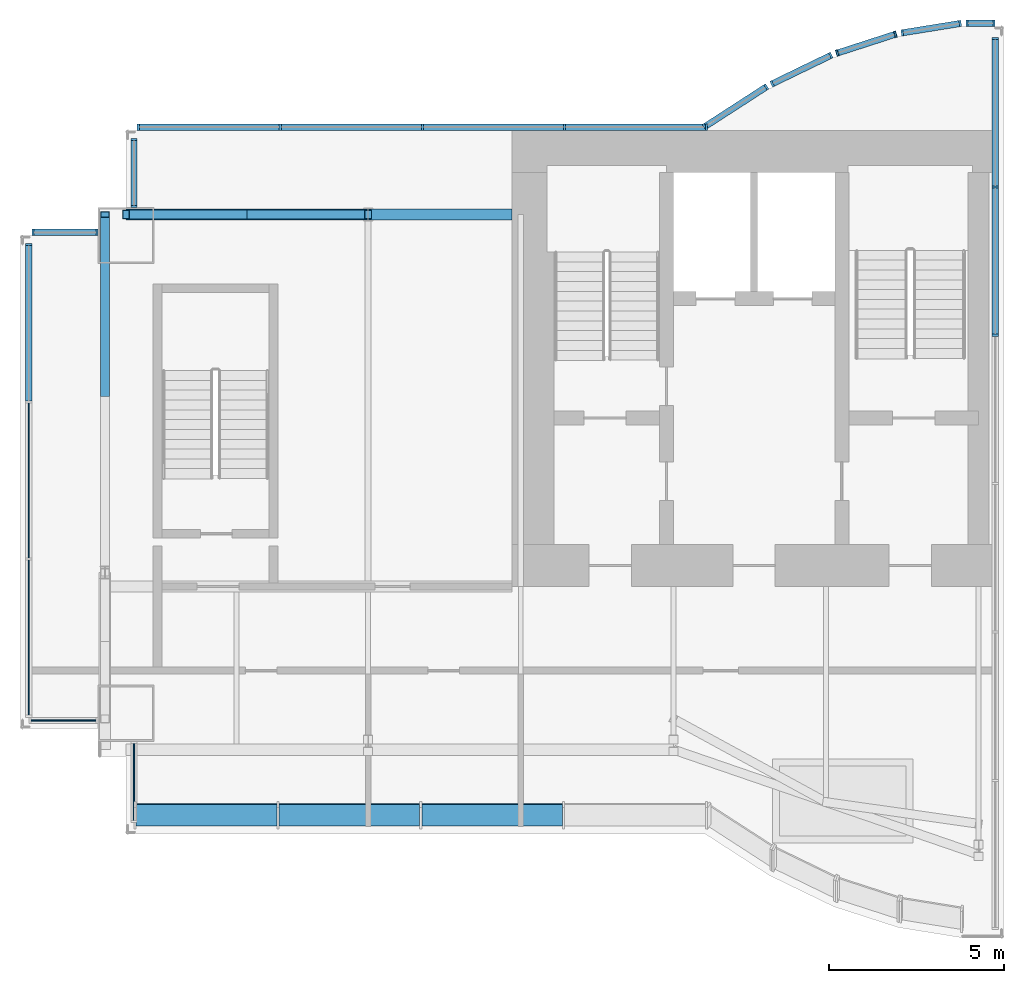
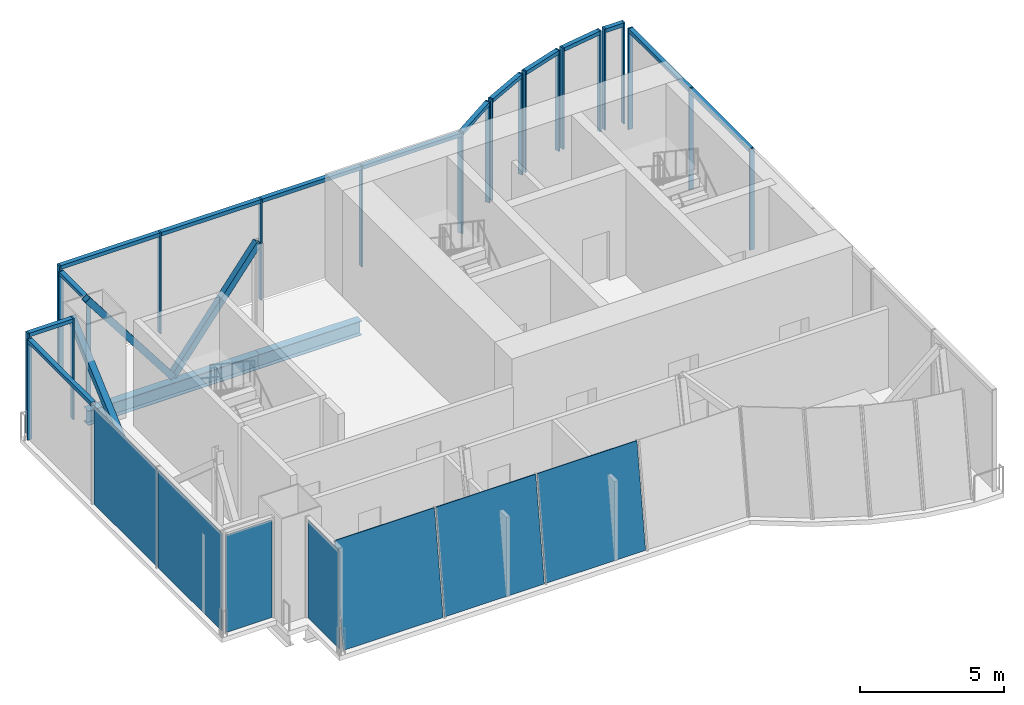
# One storey, part 2 of 6: 40 members, 7 plates, 2 beams, 13 elements without a shape of their own.
"""IFC4 building model written with IfcOpenShell, lengths in metres."""

from ifc_helpers import new_model, si_unit, direction, frame, origin, origin_2d, place, context, subcontext, project, spatial, polyline, rectangle, hollow_rectangle, i_section, outline, extrude, material, layer, layer_set, material_profile, profile_set, type_object, element, aggregate, save


model = new_model("IFC4")

# Units and contexts
model_context = context("Model", 3, precision=1e-05, world=origin(), true_north=direction((0.0, 1.0)))
body_context = subcontext(model_context, "Body", "Model", "MODEL_VIEW")
ifc_project = project(units=[si_unit("LENGTHUNIT", "METRE"), si_unit("AREAUNIT", "SQUARE_METRE"), si_unit("VOLUMEUNIT", "CUBIC_METRE"), si_unit("PLANEANGLEUNIT", "RADIAN"), si_unit("MASSUNIT", "GRAM", prefix="KILO")], contexts=[model_context])

# Site, building, storey
site_placement = place(None, origin())
site = spatial("IfcSite", under=ifc_project, at=site_placement, CompositionType="ELEMENT")
building_placement = place(site_placement, origin())
building = spatial("IfcBuilding", under=site, at=building_placement, Name="Bicima Exchange Tower", CompositionType="ELEMENT")
storey_placement = place(building_placement, frame((0.0, 0.0, 370.39990234375)))
storey = spatial("IfcBuildingStorey", under=building, at=storey_placement, Name="L83", CompositionType="ELEMENT", Elevation=370.39990234375)

# Curtain wall, members
ifc_material_1 = material(Name="Anodised bronze aluminium", Category="aluminium")
curtain_wall_type = type_object("IfcCurtainWallType", Name="Crown glass wall", PredefinedType="NOTDEFINED", material=ifc_material_1)
curtain_wall_1_placement = place(storey_placement, origin())
curtain_wall_1 = element("IfcCurtainWall", 1, at=curtain_wall_1_placement, inside=storey, type_object=curtain_wall_type, Name="Crown glass wall L83 run 2", PredefinedType="NOTDEFINED")
ifc_material_profile_1 = material_profile(ifc_material_1, rectangle(XDim=0.179931640625, YDim=0.06005859375, at=origin_2d()))
ifc_profile_set_1 = profile_set([ifc_material_profile_1], Name="Anodised bronze aluminium")
member_type_1 = type_object("IfcMemberType", Name="Crown glass wall mullion 60 x 180", PredefinedType="MULLION", material=ifc_profile_set_1)
member_1_placement = place(storey_placement, frame((-8.22998046875, -5.84228515625, 0.0), z_axis=(0.0, 0.0, 1.0), x_axis=(-1.0, 0.0, 0.0)))
member_1 = element("IfcMember", 2, at=member_1_placement, type_object=member_type_1, Name="Crown glass wall mullion 5", PredefinedType="MULLION", context=body_context, shape_type="SweptSolid", body=[
    extrude(rectangle(XDim=0.179931640625, YDim=0.06005859375, at=origin_2d()), origin(), (0.0, 0.0, 1.0), 4.300048828125),
])
member_2_placement = place(storey_placement, frame((-8.22998046875, -1.614501953125, 0.0), z_axis=(0.0, 0.0, 1.0), x_axis=(-1.0, 0.0, 0.0)))
member_2 = element("IfcMember", 3, at=member_2_placement, type_object=member_type_1, Name="Crown glass wall mullion 6", PredefinedType="MULLION", context=body_context, shape_type="SweptSolid", body=[
    extrude(rectangle(XDim=0.179931640625, YDim=0.06005859375, at=origin_2d()), origin(), (0.0, 0.0, 1.0), 4.300048828125),
])
member_3_placement = place(storey_placement, frame((-8.22998046875, 2.613037109375, 0.0), z_axis=(0.0, 0.0, 1.0), x_axis=(-1.0, 0.0, 0.0)))
member_3 = element("IfcMember", 4, at=member_3_placement, type_object=member_type_1, Name="Crown glass wall mullion 7", PredefinedType="MULLION", context=body_context, shape_type="SweptSolid", body=[
    extrude(rectangle(XDim=0.179931640625, YDim=0.06005859375, at=origin_2d()), origin(), (0.0, 0.0, 1.0), 4.300048828125),
])

curtain_wall_2_placement = place(storey_placement, origin())
curtain_wall_2 = element("IfcCurtainWall", 5, at=curtain_wall_2_placement, inside=storey, type_object=curtain_wall_type, Name="Crown glass wall L83 run 3", PredefinedType="NOTDEFINED")
member_4_placement = place(storey_placement, frame((-8.260009765625, 3.052978515625, 0.0), z_axis=(0.0, 0.0, 1.0), x_axis=(0.0, -1.0, 0.0)))
member_4 = element("IfcMember", 6, at=member_4_placement, type_object=member_type_1, Name="Crown glass wall mullion 1", PredefinedType="MULLION", context=body_context, shape_type="SweptSolid", body=[
    extrude(rectangle(XDim=0.179931640625, YDim=0.06005859375, at=origin_2d()), origin(), (0.0, 0.0, 1.0), 4.300048828125),
])
member_5_placement = place(storey_placement, frame((-9.0283203125, 3.052978515625, 0.0), z_axis=(0.0, 0.0, 1.0), x_axis=(0.0, -1.0, 0.0)))
member_5 = element("IfcMember", 7, at=member_5_placement, type_object=member_type_1, Name="Crown glass wall mullion 2", PredefinedType="MULLION", context=body_context, shape_type="SweptSolid", body=[
    extrude(rectangle(XDim=0.179931640625, YDim=0.06005859375, at=origin_2d()), origin(), (0.0, 0.0, 1.0), 4.300048828125),
])

curtain_wall_3_placement = place(storey_placement, origin())
curtain_wall_3 = element("IfcCurtainWall", 8, at=curtain_wall_3_placement, inside=storey, type_object=curtain_wall_type, Name="Crown glass wall L83 run 4", PredefinedType="NOTDEFINED")
member_6_placement = place(storey_placement, frame((-9.22900390625, 3.044189453125, 0.0), z_axis=(0.0, 0.0, 1.0), x_axis=(0.159550386184, -0.987189786347, 0.0)))
member_6 = element("IfcMember", 9, at=member_6_placement, type_object=member_type_1, Name="Crown glass wall mullion 1", PredefinedType="MULLION", context=body_context, shape_type="SweptSolid", body=[
    extrude(rectangle(XDim=0.179931640625, YDim=0.06005859375, at=origin_2d()), origin(), (0.0, 0.0, 1.0), 4.300048828125),
])
member_7_placement = place(storey_placement, frame((-10.878662109375, 2.777587890625, 0.0), z_axis=(0.0, 0.0, 1.0), x_axis=(0.159550386184, -0.987189786347, 0.0)))
member_7 = element("IfcMember", 10, at=member_7_placement, type_object=member_type_1, Name="Crown glass wall mullion 2", PredefinedType="MULLION", context=body_context, shape_type="SweptSolid", body=[
    extrude(rectangle(XDim=0.179931640625, YDim=0.06005859375, at=origin_2d()), origin(), (0.0, 0.0, 1.0), 4.300048828125),
])

curtain_wall_4_placement = place(storey_placement, origin())
curtain_wall_4 = element("IfcCurtainWall", 11, at=curtain_wall_4_placement, inside=storey, type_object=curtain_wall_type, Name="Crown glass wall L83 run 5", PredefinedType="NOTDEFINED")
member_8_placement = place(storey_placement, frame((-11.072998046875, 2.73779296875, 0.0), z_axis=(0.0, 0.0, 1.0), x_axis=(0.307572519808, -0.951524642381, 0.0)))
member_8 = element("IfcMember", 12, at=member_8_placement, type_object=member_type_1, Name="Crown glass wall mullion 1", PredefinedType="MULLION", context=body_context, shape_type="SweptSolid", body=[
    extrude(rectangle(XDim=0.179931640625, YDim=0.06005859375, at=origin_2d()), origin(), (0.0, 0.0, 1.0), 4.300048828125),
])
member_9_placement = place(storey_placement, frame((-12.731689453125, 2.20166015625, 0.0), z_axis=(0.0, 0.0, 1.0), x_axis=(0.307572519808, -0.951524642381, 0.0)))
member_9 = element("IfcMember", 13, at=member_9_placement, type_object=member_type_1, Name="Crown glass wall mullion 2", PredefinedType="MULLION", context=body_context, shape_type="SweptSolid", body=[
    extrude(rectangle(XDim=0.179931640625, YDim=0.06005859375, at=origin_2d()), origin(), (0.0, 0.0, 1.0), 4.300048828125),
])

curtain_wall_5_placement = place(storey_placement, origin())
curtain_wall_5 = element("IfcCurtainWall", 14, at=curtain_wall_5_placement, inside=storey, type_object=curtain_wall_type, Name="Crown glass wall L83 run 6", PredefinedType="NOTDEFINED")
member_10_placement = place(storey_placement, frame((-12.913818359375, 2.135009765625, 0.0), z_axis=(0.0, 0.0, 1.0), x_axis=(0.436264762204, -0.899818346812, 0.0)))
member_10 = element("IfcMember", 15, at=member_10_placement, type_object=member_type_1, Name="Crown glass wall mullion 1", PredefinedType="MULLION", context=body_context, shape_type="SweptSolid", body=[
    extrude(rectangle(XDim=0.179931640625, YDim=0.06005859375, at=origin_2d()), origin(), (0.0, 0.0, 1.0), 4.300048828125),
])
member_11_placement = place(storey_placement, frame((-14.585205078125, 1.32470703125, 0.0), z_axis=(0.0, 0.0, 1.0), x_axis=(0.436264762204, -0.899818346812, 0.0)))
member_11 = element("IfcMember", 16, at=member_11_placement, type_object=member_type_1, Name="Crown glass wall mullion 2", PredefinedType="MULLION", context=body_context, shape_type="SweptSolid", body=[
    extrude(rectangle(XDim=0.179931640625, YDim=0.06005859375, at=origin_2d()), origin(), (0.0, 0.0, 1.0), 4.300048828125),
])

curtain_wall_6_placement = place(storey_placement, origin())
curtain_wall_6 = element("IfcCurtainWall", 17, at=curtain_wall_6_placement, inside=storey, type_object=curtain_wall_type, Name="Crown glass wall L83 run 7", PredefinedType="NOTDEFINED")
member_12_placement = place(storey_placement, frame((-14.752685546875, 1.23681640625, 0.0), z_axis=(0.0, 0.0, 1.0), x_axis=(0.542910648791, -0.839790466384, 0.0)))
member_12 = element("IfcMember", 18, at=member_12_placement, type_object=member_type_1, Name="Crown glass wall mullion 1", PredefinedType="MULLION", context=body_context, shape_type="SweptSolid", body=[
    extrude(rectangle(XDim=0.179931640625, YDim=0.06005859375, at=origin_2d()), origin(), (0.0, 0.0, 1.0), 4.300048828125),
])
member_13_placement = place(storey_placement, frame((-16.505126953125, 0.10400390625, 0.0), z_axis=(0.0, 0.0, 1.0), x_axis=(0.542910648791, -0.839790466384, 0.0)))
member_13 = element("IfcMember", 19, at=member_13_placement, type_object=member_type_1, Name="Crown glass wall mullion 2", PredefinedType="MULLION", context=body_context, shape_type="SweptSolid", body=[
    extrude(rectangle(XDim=0.179931640625, YDim=0.06005859375, at=origin_2d()), origin(), (0.0, 0.0, 1.0), 4.300048828125),
])

curtain_wall_7_placement = place(storey_placement, origin())
curtain_wall_7 = element("IfcCurtainWall", 20, at=curtain_wall_7_placement, inside=storey, type_object=curtain_wall_type, Name="Crown glass wall L83 run 8", PredefinedType="NOTDEFINED")
member_14_placement = place(storey_placement, frame((-16.462158203125, 0.090087890625, 0.0), z_axis=(0.0, 0.0, 1.0), x_axis=(0.0, -1.0, 0.0)))
member_14 = element("IfcMember", 21, at=member_14_placement, type_object=member_type_1, Name="Crown glass wall mullion 1", PredefinedType="MULLION", context=body_context, shape_type="SweptSolid", body=[
    extrude(rectangle(XDim=0.179931640625, YDim=0.06005859375, at=origin_2d()), origin(), (0.0, 0.0, 1.0), 4.300048828125),
])
member_15_placement = place(storey_placement, frame((-20.509033203125, 0.090087890625, 0.0), z_axis=(0.0, 0.0, 1.0), x_axis=(0.0, -1.0, 0.0)))
member_15 = element("IfcMember", 22, at=member_15_placement, type_object=member_type_1, Name="Crown glass wall mullion 2", PredefinedType="MULLION", context=body_context, shape_type="SweptSolid", body=[
    extrude(rectangle(XDim=0.179931640625, YDim=0.06005859375, at=origin_2d()), origin(), (0.0, 0.0, 1.0), 4.300048828125),
])
member_16_placement = place(storey_placement, frame((-24.55615234375, 0.090087890625, 0.0), z_axis=(0.0, 0.0, 1.0), x_axis=(0.0, -1.0, 0.0)))
member_16 = element("IfcMember", 23, at=member_16_placement, type_object=member_type_1, Name="Crown glass wall mullion 3", PredefinedType="MULLION", context=body_context, shape_type="SweptSolid", body=[
    extrude(rectangle(XDim=0.179931640625, YDim=0.06005859375, at=origin_2d()), origin(), (0.0, 0.0, 1.0), 4.300048828125),
])
member_17_placement = place(storey_placement, frame((-28.60302734375, 0.090087890625, 0.0), z_axis=(0.0, 0.0, 1.0), x_axis=(0.0, -1.0, 0.0)))
member_17 = element("IfcMember", 24, at=member_17_placement, type_object=member_type_1, Name="Crown glass wall mullion 4", PredefinedType="MULLION", context=body_context, shape_type="SweptSolid", body=[
    extrude(rectangle(XDim=0.179931640625, YDim=0.06005859375, at=origin_2d()), origin(), (0.0, 0.0, 1.0), 4.300048828125),
])
member_18_placement = place(storey_placement, frame((-32.64990234375, 0.090087890625, 0.0), z_axis=(0.0, 0.0, 1.0), x_axis=(0.0, -1.0, 0.0)))
member_18 = element("IfcMember", 25, at=member_18_placement, type_object=member_type_1, Name="Crown glass wall mullion 5", PredefinedType="MULLION", context=body_context, shape_type="SweptSolid", body=[
    extrude(rectangle(XDim=0.179931640625, YDim=0.06005859375, at=origin_2d()), origin(), (0.0, 0.0, 1.0), 4.300048828125),
])

curtain_wall_8_placement = place(storey_placement, origin())
curtain_wall_8 = element("IfcCurtainWall", 26, at=curtain_wall_8_placement, inside=storey, type_object=curtain_wall_type, Name="Crown glass wall L83 run 9", PredefinedType="NOTDEFINED")
member_19_placement = place(storey_placement, frame((-32.77001953125, -0.260009765625, 0.0), z_axis=(0.0, 0.0, 1.0), x_axis=(1.0, 0.0, 0.0)))
member_19 = element("IfcMember", 27, at=member_19_placement, type_object=member_type_1, Name="Crown glass wall mullion 1", PredefinedType="MULLION", context=body_context, shape_type="SweptSolid", body=[
    extrude(rectangle(XDim=0.179931640625, YDim=0.06005859375, at=origin_2d()), origin(), (0.0, 0.0, 1.0), 4.300048828125),
])
member_20_placement = place(storey_placement, frame((-32.77001953125, -2.169921875, 0.0), z_axis=(0.0, 0.0, 1.0), x_axis=(1.0, 0.0, 0.0)))
member_20 = element("IfcMember", 28, at=member_20_placement, type_object=member_type_1, Name="Crown glass wall mullion 2", PredefinedType="MULLION", context=body_context, shape_type="SweptSolid", body=[
    extrude(rectangle(XDim=0.179931640625, YDim=0.06005859375, at=origin_2d()), origin(), (0.0, 0.0, 1.0), 4.300048828125),
])

curtain_wall_9_placement = place(storey_placement, origin())
curtain_wall_9 = element("IfcCurtainWall", 29, at=curtain_wall_9_placement, inside=storey, type_object=curtain_wall_type, Name="Crown glass wall L83 run 10", PredefinedType="NOTDEFINED")
member_21_placement = place(storey_placement, frame((-33.830078125, -2.909912109375, 0.0), z_axis=(0.0, 0.0, 1.0), x_axis=(0.0, -1.0, 0.0)))
member_21 = element("IfcMember", 30, at=member_21_placement, type_object=member_type_1, Name="Crown glass wall mullion 1", PredefinedType="MULLION", context=body_context, shape_type="SweptSolid", body=[
    extrude(rectangle(XDim=0.179931640625, YDim=0.06005859375, at=origin_2d()), origin(), (0.0, 0.0, 1.0), 4.300048828125),
])
member_22_placement = place(storey_placement, frame((-35.64990234375, -2.909912109375, 0.0), z_axis=(0.0, 0.0, 1.0), x_axis=(0.0, -1.0, 0.0)))
member_22 = element("IfcMember", 31, at=member_22_placement, type_object=member_type_1, Name="Crown glass wall mullion 2", PredefinedType="MULLION", context=body_context, shape_type="SweptSolid", body=[
    extrude(rectangle(XDim=0.179931640625, YDim=0.06005859375, at=origin_2d()), origin(), (0.0, 0.0, 1.0), 4.300048828125),
])

# Curtain wall, member
curtain_wall_10_placement = place(storey_placement, origin())
curtain_wall_10 = element("IfcCurtainWall", 32, at=curtain_wall_10_placement, inside=storey, type_object=curtain_wall_type, Name="Crown glass wall L83 run 11", PredefinedType="NOTDEFINED")
member_23_placement = place(storey_placement, frame((-35.77001953125, -3.260009765625, 0.0), z_axis=(0.0, 0.0, 1.0), x_axis=(1.0, 0.0, 0.0)))
member_23 = element("IfcMember", 33, at=member_23_placement, type_object=member_type_1, Name="Crown glass wall mullion 1", PredefinedType="MULLION", context=body_context, shape_type="SweptSolid", body=[
    extrude(rectangle(XDim=0.179931640625, YDim=0.06005859375, at=origin_2d()), origin(), (0.0, 0.0, 1.0), 4.300048828125),
])

# Member
ifc_material_profile_2 = material_profile(ifc_material_1, rectangle(XDim=0.179931640625, YDim=0.159912109375, at=origin_2d()))
ifc_profile_set_2 = profile_set([ifc_material_profile_2], Name="Anodised bronze aluminium")
member_type_2 = type_object("IfcMemberType", Name="Crown glass wall transom 160 x 180", PredefinedType="USERDEFINED", material=ifc_profile_set_2)
member_24_placement = place(storey_placement, frame((-8.22998046875, -5.812255859375, 4.22021484375), z_axis=(0.0, 1.0, 0.0), x_axis=(-1.0, 0.0, 0.0)))
member_24 = element("IfcMember", 34, at=member_24_placement, type_object=member_type_2, Name="Crown glass wall transom 5.1", ObjectType="TRANSOM", PredefinedType="USERDEFINED", context=body_context, shape_type="SweptSolid", body=[
    extrude(rectangle(XDim=0.179931640625, YDim=0.159912109375, at=origin_2d()), origin(), (0.0, 0.0, 1.0), 4.167724609375),
])

member_25_placement = place(storey_placement, frame((-8.22998046875, -1.584716796875, 4.22021484375), z_axis=(0.0, 1.0, 0.0), x_axis=(-1.0, 0.0, 0.0)))
member_25 = element("IfcMember", 35, at=member_25_placement, type_object=member_type_2, Name="Crown glass wall transom 6.1", ObjectType="TRANSOM", PredefinedType="USERDEFINED", context=body_context, shape_type="SweptSolid", body=[
    extrude(rectangle(XDim=0.179931640625, YDim=0.159912109375, at=origin_2d()), origin(), (0.0, 0.0, 1.0), 4.167724609375),
])

aggregate(curtain_wall_1, [member_1, member_2, member_3, member_24, member_25])

member_26_placement = place(storey_placement, frame((-8.2900390625, 3.052978515625, 4.22021484375), z_axis=(-1.0, 0.0, 0.0), x_axis=(0.0, -1.0, 0.0)))
member_26 = element("IfcMember", 36, at=member_26_placement, type_object=member_type_2, Name="Crown glass wall transom 1.1", ObjectType="TRANSOM", PredefinedType="USERDEFINED", context=body_context, shape_type="SweptSolid", body=[
    extrude(rectangle(XDim=0.179931640625, YDim=0.159912109375, at=origin_2d()), origin(), (0.0, 0.0, 1.0), 0.708251953125),
])

aggregate(curtain_wall_2, [member_4, member_5, member_26])

member_27_placement = place(storey_placement, frame((-9.258544921875, 3.039306640625, 4.22021484375), z_axis=(-0.987184958941, -0.159580252036, 0.0), x_axis=(0.159580252036, -0.987184958941, 0.0)))
member_27 = element("IfcMember", 37, at=member_27_placement, type_object=member_type_2, Name="Crown glass wall transom 1.1", ObjectType="TRANSOM", PredefinedType="USERDEFINED", context=body_context, shape_type="SweptSolid", body=[
    extrude(rectangle(XDim=0.179931640625, YDim=0.159912109375, at=origin_2d()), origin(), (0.0, 0.0, 1.0), 1.611083984375),
])

aggregate(curtain_wall_3, [member_6, member_7, member_27])

member_28_placement = place(storey_placement, frame((-11.1015625, 2.728515625, 4.22021484375), z_axis=(-0.951488244605, -0.307685099376, 0.0), x_axis=(0.307685099376, -0.951488244605, 0.0)))
member_28 = element("IfcMember", 38, at=member_28_placement, type_object=member_type_2, Name="Crown glass wall transom 1.1", ObjectType="TRANSOM", PredefinedType="USERDEFINED", context=body_context, shape_type="SweptSolid", body=[
    extrude(rectangle(XDim=0.179931640625, YDim=0.159912109375, at=origin_2d()), origin(), (0.0, 0.0, 1.0), 1.682861328125),
])

aggregate(curtain_wall_4, [member_8, member_9, member_28])

member_29_placement = place(storey_placement, frame((-12.94091796875, 2.121826171875, 4.22021484375), z_axis=(-0.899873884154, -0.436150195022, 0.0), x_axis=(0.436150195022, -0.899873884154, 0.0)))
member_29 = element("IfcMember", 39, at=member_29_placement, type_object=member_type_2, Name="Crown glass wall transom 1.1", ObjectType="TRANSOM", PredefinedType="USERDEFINED", context=body_context, shape_type="SweptSolid", body=[
    extrude(rectangle(XDim=0.179931640625, YDim=0.159912109375, at=origin_2d()), origin(), (0.0, 0.0, 1.0), 1.79736328125),
])

aggregate(curtain_wall_5, [member_10, member_11, member_29])

member_30_placement = place(storey_placement, frame((-14.77783203125, 1.220703125, 4.22021484375), z_axis=(-0.839751073679, -0.54297157776, 0.0), x_axis=(0.54297157776, -0.839751073679, 0.0)))
member_30 = element("IfcMember", 40, at=member_30_placement, type_object=member_type_2, Name="Crown glass wall transom 1.1", ObjectType="TRANSOM", PredefinedType="USERDEFINED", context=body_context, shape_type="SweptSolid", body=[
    extrude(rectangle(XDim=0.179931640625, YDim=0.159912109375, at=origin_2d()), origin(), (0.0, 0.0, 1.0), 2.02685546875),
])

aggregate(curtain_wall_6, [member_12, member_13, member_30])

member_31_placement = place(storey_placement, frame((-16.4921875, 0.090087890625, 4.22021484375), z_axis=(-1.0, 0.0, 0.0), x_axis=(0.0, -1.0, 0.0)))
member_31 = element("IfcMember", 41, at=member_31_placement, type_object=member_type_2, Name="Crown glass wall transom 1.1", ObjectType="TRANSOM", PredefinedType="USERDEFINED", context=body_context, shape_type="SweptSolid", body=[
    extrude(rectangle(XDim=0.179931640625, YDim=0.159912109375, at=origin_2d()), origin(), (0.0, 0.0, 1.0), 3.98681640625),
])

member_32_placement = place(storey_placement, frame((-20.5390625, 0.090087890625, 4.22021484375), z_axis=(-1.0, 0.0, 0.0), x_axis=(0.0, -1.0, 0.0)))
member_32 = element("IfcMember", 42, at=member_32_placement, type_object=member_type_2, Name="Crown glass wall transom 2.1", ObjectType="TRANSOM", PredefinedType="USERDEFINED", context=body_context, shape_type="SweptSolid", body=[
    extrude(rectangle(XDim=0.179931640625, YDim=0.159912109375, at=origin_2d()), origin(), (0.0, 0.0, 1.0), 3.987060546875),
])

member_33_placement = place(storey_placement, frame((-24.586181640625, 0.090087890625, 4.22021484375), z_axis=(-1.0, 0.0, 0.0), x_axis=(0.0, -1.0, 0.0)))
member_33 = element("IfcMember", 43, at=member_33_placement, type_object=member_type_2, Name="Crown glass wall transom 3.1", ObjectType="TRANSOM", PredefinedType="USERDEFINED", context=body_context, shape_type="SweptSolid", body=[
    extrude(rectangle(XDim=0.179931640625, YDim=0.159912109375, at=origin_2d()), origin(), (0.0, 0.0, 1.0), 3.98681640625),
])

member_34_placement = place(storey_placement, frame((-28.633056640625, 0.090087890625, 4.22021484375), z_axis=(-1.0, 0.0, 0.0), x_axis=(0.0, -1.0, 0.0)))
member_34 = element("IfcMember", 44, at=member_34_placement, type_object=member_type_2, Name="Crown glass wall transom 4.1", ObjectType="TRANSOM", PredefinedType="USERDEFINED", context=body_context, shape_type="SweptSolid", body=[
    extrude(rectangle(XDim=0.179931640625, YDim=0.159912109375, at=origin_2d()), origin(), (0.0, 0.0, 1.0), 3.987060546875),
])

aggregate(curtain_wall_7, [member_14, member_15, member_16, member_17, member_18, member_31, member_32, member_33, member_34])

member_35_placement = place(storey_placement, frame((-32.77001953125, -0.2900390625, 4.22021484375), z_axis=(0.0, -1.0, 0.0), x_axis=(1.0, 0.0, 0.0)))
member_35 = element("IfcMember", 45, at=member_35_placement, type_object=member_type_2, Name="Crown glass wall transom 1.1", ObjectType="TRANSOM", PredefinedType="USERDEFINED", context=body_context, shape_type="SweptSolid", body=[
    extrude(rectangle(XDim=0.179931640625, YDim=0.159912109375, at=origin_2d()), origin(), (0.0, 0.0, 1.0), 1.849853515625),
])

aggregate(curtain_wall_8, [member_19, member_20, member_35])

member_36_placement = place(storey_placement, frame((-33.860107421875, -2.909912109375, 4.22021484375), z_axis=(-1.0, 0.0, 0.0), x_axis=(0.0, -1.0, 0.0)))
member_36 = element("IfcMember", 46, at=member_36_placement, type_object=member_type_2, Name="Crown glass wall transom 1.1", ObjectType="TRANSOM", PredefinedType="USERDEFINED", context=body_context, shape_type="SweptSolid", body=[
    extrude(rectangle(XDim=0.179931640625, YDim=0.159912109375, at=origin_2d()), origin(), (0.0, 0.0, 1.0), 1.760009765625),
])

aggregate(curtain_wall_9, [member_21, member_22, member_36])

member_37_placement = place(storey_placement, frame((-35.77001953125, -3.2900390625, 4.22021484375), z_axis=(0.0, -1.0, 0.0), x_axis=(1.0, 0.0, 0.0)))
member_37 = element("IfcMember", 47, at=member_37_placement, type_object=member_type_2, Name="Crown glass wall transom 1.1", ObjectType="TRANSOM", PredefinedType="USERDEFINED", context=body_context, shape_type="SweptSolid", body=[
    extrude(rectangle(XDim=0.179931640625, YDim=0.159912109375, at=origin_2d()), origin(), (0.0, 0.0, 1.0), 4.419921875),
])

# Members
ifc_material_2 = material(Name="Steel ASTM A572 Gr 50", Category="steel")
ifc_material_profile_3 = material_profile(ifc_material_2, hollow_rectangle(XDim=0.25390625, YDim=0.25390625, WallThickness=0.01171875, at=origin_2d()))
ifc_profile_set_3 = profile_set([ifc_material_profile_3], Name="Steel ASTM A572 Gr 50")
member_type_3 = type_object("IfcMemberType", Name="Mega brace HSS10x10x1/2", PredefinedType="BRACE", material=ifc_profile_set_3)
for number, where, z_axis, x_axis, name in (
    (48, (-29.550048828125, -2.39990234375, 0.0), (0.608426120198, 0.0, 0.793610519248), (0.0, 1.0, 0.0), "Mega brace rear"),
    (49, (-29.550048828125, -2.39990234375, 0.0), (-0.608426120198, 0.0, 0.793610519248), (0.0, -1.0, 0.0), "Mega brace rear"),
):
    element("IfcMember", number, at=place(storey_placement, frame(where, z_axis=z_axis, x_axis=x_axis)), inside=storey, type_object=member_type_3, Name=name, PredefinedType="BRACE", context=body_context, shape_type="SweptSolid", body=[
        extrude(hollow_rectangle(XDim=0.25390625, YDim=0.25390625, WallThickness=0.01171875, at=origin_2d()), origin(), (0.0, 0.0, 1.0), 5.670166015625),
    ])
member_38_placement = place(storey_placement, frame((-33.60009765625, -7.5, -0.546630859375), z_axis=(0.0, 0.749844140428, 0.661614513948), x_axis=(-1.0, 0.0, 0.0)))
element("IfcMember", 50, at=member_38_placement, inside=storey, type_object=member_type_3, Name="Mega brace west end", PredefinedType="BRACE", context=body_context, shape_type="SweptSolid", body=[
    extrude(hollow_rectangle(XDim=0.25390625, YDim=0.25390625, WallThickness=0.01171875, at=origin_2d()), origin(), (0.0, 0.0, 1.0), 6.801513671875),
])

# Beams
ifc_material_3 = material(Name="Steel ASTM A992 Gr 50", Category="steel")
ifc_material_profile_4 = material_profile(ifc_material_3, i_section(OverallWidth=0.3251953125, OverallDepth=0.612060546875, WebThickness=0.0126953125, FlangeThickness=0.01904296875, at=origin_2d()))
ifc_profile_set_4 = profile_set([ifc_material_profile_4], Name="Steel ASTM A992 Gr 50")
beam_type = type_object("IfcBeamType", Name="Rear girder W24x104", PredefinedType="BEAM", material=ifc_profile_set_4)
beam_1_placement = place(storey_placement, frame((-22.0, -2.39990234375, -0.506103515625), z_axis=(-1.0, 0.0, 0.0), x_axis=(0.0, -1.0, 0.0)))
element("IfcBeam", 51, at=beam_1_placement, inside=storey, type_object=beam_type, Name="Rear girder", PredefinedType="BEAM", context=body_context, shape_type="SweptSolid", body=[
    extrude(i_section(OverallWidth=0.3251953125, OverallDepth=0.612060546875, WebThickness=0.0126953125, FlangeThickness=0.01904296875, at=origin_2d()), origin(), (0.0, 0.0, 1.0), 4.10009765625),
])
beam_2_placement = place(storey_placement, frame((-26.10009765625, -2.39990234375, -0.506103515625), z_axis=(-1.0, 0.0, 0.0), x_axis=(0.0, -1.0, 0.0)))
element("IfcBeam", 52, at=beam_2_placement, inside=storey, type_object=beam_type, Name="Rear girder", PredefinedType="BEAM", context=body_context, shape_type="SweptSolid", body=[
    extrude(i_section(OverallWidth=0.3251953125, OverallDepth=0.612060546875, WebThickness=0.0126953125, FlangeThickness=0.01904296875, at=origin_2d()), origin(), (0.0, 0.0, 1.0), 6.89990234375),
])

# Plate
ifc_material_4 = material(Name="Bronze tinted glass", Category="glass")
ifc_layer = layer(ifc_material_4, 0.035888671875)
ifc_layer_set = layer_set([ifc_layer], Name="Bronze tinted glass")
plate_type = type_object("IfcPlateType", Name="Crown glass wall glass panel 36", PredefinedType="CURTAIN_PANEL", material=ifc_layer_set)
plate_1_placement = place(storey_placement, frame((-35.77001953125, -9.97998046875, 0.0), z_axis=(0.0, 0.0, 1.0), x_axis=(0.0, -1.0, 0.0)))
plate_1 = element("IfcPlate", 53, at=plate_1_placement, type_object=plate_type, Name="Crown glass wall panel 2.1", PredefinedType="CURTAIN_PANEL", context=body_context, shape_type="SweptSolid", body=[
    extrude(rectangle(XDim=4.419921875, YDim=0.035888671875, at=origin_2d()), origin(), (0.0, 0.0, 1.0), 4.139892578125),
])

plate_2_placement = place(storey_placement, frame((-35.77001953125, -14.459716796875, 0.0), z_axis=(0.0, 0.0, 1.0), x_axis=(0.0, -1.0, 0.0)))
plate_2 = element("IfcPlate", 54, at=plate_2_placement, type_object=plate_type, Name="Crown glass wall panel 3.1", PredefinedType="CURTAIN_PANEL", context=body_context, shape_type="SweptSolid", body=[
    extrude(rectangle(XDim=4.419921875, YDim=0.035888671875, at=origin_2d()), origin(), (0.0, 0.0, 1.0), 4.139892578125),
])

aggregate(curtain_wall_10, [member_23, member_37, plate_1, plate_2])

# Curtain wall, plate
curtain_wall_11_placement = place(storey_placement, origin())
curtain_wall_11 = element("IfcCurtainWall", 55, at=curtain_wall_11_placement, inside=storey, type_object=curtain_wall_type, Name="Crown glass wall L83 run 12", PredefinedType="NOTDEFINED")
plate_3_placement = place(storey_placement, frame((-34.784912109375, -16.81982421875, 0.0), z_axis=(0.0, 0.0, 1.0), x_axis=(1.0, 0.0, 0.0)))
plate_3 = element("IfcPlate", 56, at=plate_3_placement, type_object=plate_type, Name="Crown glass wall panel 1.1", PredefinedType="CURTAIN_PANEL", context=body_context, shape_type="SweptSolid", body=[
    extrude(rectangle(XDim=1.85009765625, YDim=0.035888671875, at=origin_2d()), origin(), (0.0, 0.0, 1.0), 4.139892578125),
])
aggregate(curtain_wall_11, [plate_3])

curtain_wall_12_placement = place(storey_placement, origin())
curtain_wall_12 = element("IfcCurtainWall", 57, at=curtain_wall_12_placement, inside=storey, type_object=curtain_wall_type, Name="Crown glass wall L83 run 13", PredefinedType="NOTDEFINED")
plate_4_placement = place(storey_placement, frame((-32.77001953125, -18.57080078125, 0.0), z_axis=(0.0, 0.0, 1.0), x_axis=(0.0, -1.0, 0.0)))
plate_4 = element("IfcPlate", 58, at=plate_4_placement, type_object=plate_type, Name="Crown glass wall panel 1.1", PredefinedType="CURTAIN_PANEL", context=body_context, shape_type="SweptSolid", body=[
    extrude(rectangle(XDim=2.1982421875, YDim=0.035888671875, at=origin_2d()), origin(), (0.0, 0.0, 1.0), 4.139892578125),
])
aggregate(curtain_wall_12, [plate_4])

# Curtain wall, plates
curtain_wall_13_placement = place(storey_placement, origin())
curtain_wall_13 = element("IfcCurtainWall", 59, at=curtain_wall_13_placement, inside=storey, type_object=curtain_wall_type, Name="Crown tilted glass L83 14.1", PredefinedType="NOTDEFINED")
plate_5_placement = place(storey_placement, frame((-32.7099609375, -19.81982421875, 0.0), z_axis=(0.0, -0.99027074745, 0.139154039626), x_axis=(1.0, 0.0, 0.0)))
plate_5 = element("IfcPlate", 60, at=plate_5_placement, type_object=plate_type, Name="Crown tilted glass panel 1", PredefinedType="CURTAIN_PANEL", context=body_context, shape_type="SweptSolid", body=[
    extrude(outline(polyline([(0.0, 0.0), (4.009521484375, 0.0), (4.009521484375, 4.342296123758884), (0.0, 4.342296123758884), (0.0, 0.0)])), origin(), (0.0, 0.0, -1.0), 0.035888671875),
])
plate_6_placement = place(storey_placement, frame((-28.640380859375, -19.81982421875, 0.0), z_axis=(0.0, -0.99027074745, 0.139154039626), x_axis=(1.0, 0.0, 0.0)))
plate_6 = element("IfcPlate", 61, at=plate_6_placement, type_object=plate_type, Name="Crown tilted glass panel 2", PredefinedType="CURTAIN_PANEL", context=body_context, shape_type="SweptSolid", body=[
    extrude(outline(polyline([(0.0, 0.0), (4.00927734375, 0.0), (4.00927734375, 4.342296123758885), (0.0, 4.342296123758885), (0.0, 0.0)])), origin(), (0.0, 0.0, -1.0), 0.035888671875),
])
plate_7_placement = place(storey_placement, frame((-24.571044921875, -19.81982421875, 0.0), z_axis=(0.0, -0.99027074745, 0.139154039626), x_axis=(1.0, 0.0, 0.0)))
plate_7 = element("IfcPlate", 62, at=plate_7_placement, type_object=plate_type, Name="Crown tilted glass panel 3", PredefinedType="CURTAIN_PANEL", context=body_context, shape_type="SweptSolid", body=[
    extrude(outline(polyline([(0.0, 0.0), (4.009521484375, 0.0), (4.009521484375, 4.342296123758884), (0.0, 4.342296123758884), (0.0, 0.0)])), origin(), (0.0, 0.0, -1.0), 0.035888671875),
])
aggregate(curtain_wall_13, [plate_5, plate_6, plate_7])

save(model, "model.ifc")
